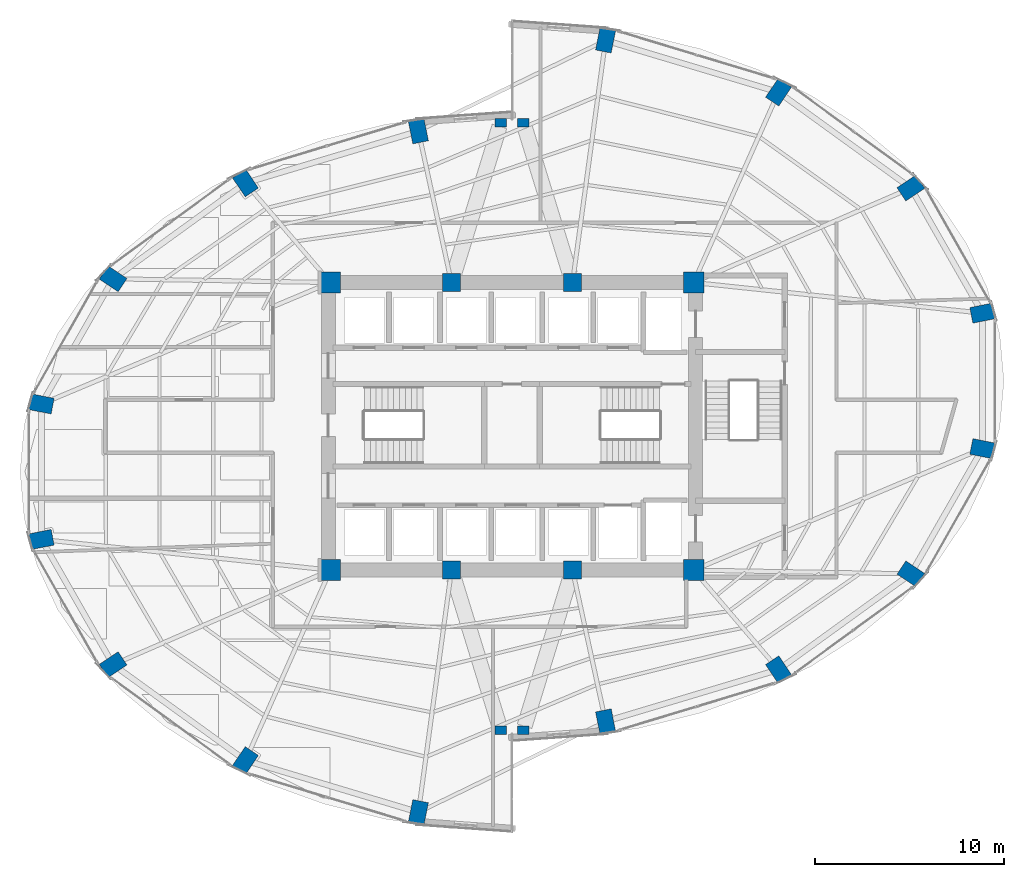
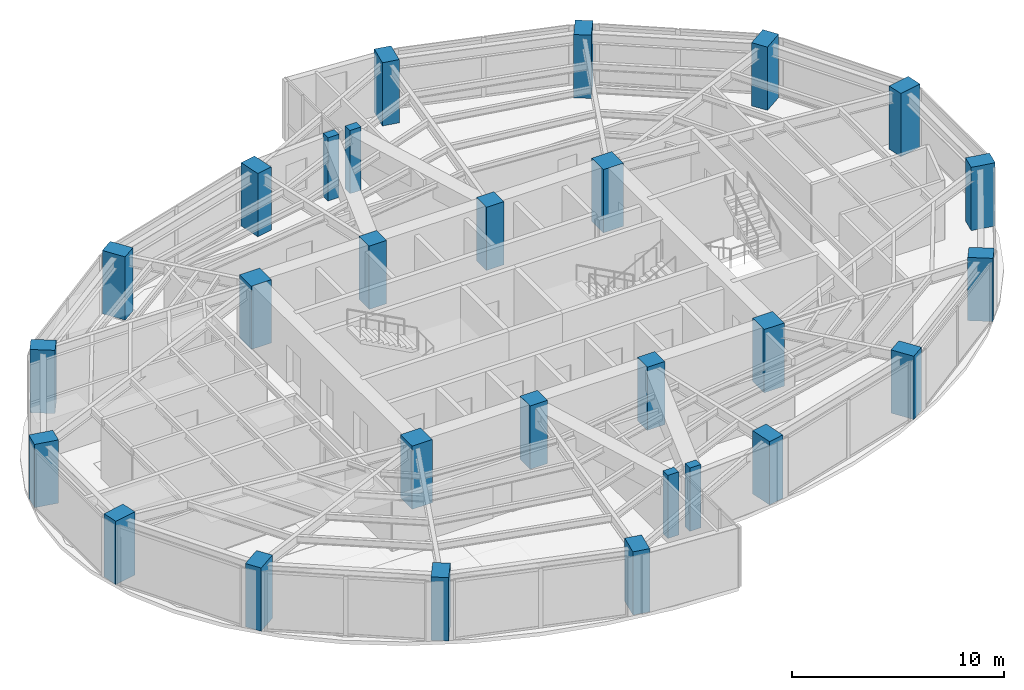
# One storey, part 1 of 24: 28 columns.
"""IFC4 building model written with IfcOpenShell, lengths in metres."""

from ifc_helpers import new_model, si_unit, direction, frame, origin, origin_2d, place, context, subcontext, project, spatial, rectangle, extrude, material, material_profile, profile_set, type_object, element, save


model = new_model("IFC4")

# Units and contexts
model_context = context("Model", 3, precision=1e-05, world=origin(), true_north=direction((0.0, 1.0)))
body_context = subcontext(model_context, "Body", "Model", "MODEL_VIEW")
ifc_project = project(units=[si_unit("LENGTHUNIT", "METRE"), si_unit("AREAUNIT", "SQUARE_METRE"), si_unit("VOLUMEUNIT", "CUBIC_METRE"), si_unit("PLANEANGLEUNIT", "RADIAN"), si_unit("MASSUNIT", "GRAM", prefix="KILO")], contexts=[model_context])

# Site, building, storey
site_placement = place(None, origin())
site = spatial("IfcSite", under=ifc_project, at=site_placement, CompositionType="ELEMENT")
building_placement = place(site_placement, origin())
building = spatial("IfcBuilding", under=site, at=building_placement, Name="Lazwardi Medical Tower", CompositionType="ELEMENT")
storey_placement = place(building_placement, frame((0.0, 0.0, 96.3359375)))
storey = spatial("IfcBuildingStorey", under=building, at=storey_placement, Name="L24", CompositionType="ELEMENT", Elevation=96.3359375)

# Columns
ifc_material_1 = material(Name="Concrete C80/95", Category="concrete")
ifc_material_profile_1 = material_profile(ifc_material_1, rectangle(XDim=1.10009765625, YDim=1.10009765625, at=origin_2d()), Name="RC 1100x1100")
ifc_profile_set_1 = profile_set([ifc_material_profile_1], Name="Concrete C80/95")
column_type_1 = type_object("IfcColumnType", Name="COL-CC-L", PredefinedType="COLUMN", material=ifc_profile_set_1)
for number, where, z_axis, x_axis, name in (
    (1, (26.39990234375, 20.39990234375, 0.0), (0.0, 0.0, 1.0), (1.0, 0.0, 0.0), "Core column CC-01 CC1 L24"),
    (2, (45.60009765625, 20.39990234375, 0.0), (0.0, 0.0, 1.0), (1.0, 0.0, 0.0), "Core column CC-01 CC4 L24"),
    (3, (45.60009765625, 35.60009765625, 0.0), (0.0, 0.0, 1.0), (1.0, 0.0, 0.0), "Core column CC-01 CC5 L24"),
    (4, (26.39990234375, 35.60009765625, 0.0), (0.0, 0.0, 1.0), (1.0, 0.0, 0.0), "Core column CC-01 CC8 L24"),
):
    element("IfcColumn", number, at=place(storey_placement, frame(where, z_axis=z_axis, x_axis=x_axis)), inside=storey, type_object=column_type_1, Name=name, PredefinedType="COLUMN", context=body_context, shape_type="SweptSolid", body=[
        extrude(rectangle(XDim=1.10009765625, YDim=1.10009765625, at=origin_2d()), origin(), (0.0, 0.0, 1.0), 3.64794921875),
    ])
ifc_material_2 = material(Name="Concrete C70/85", Category="concrete")
ifc_material_profile_2 = material_profile(ifc_material_2, rectangle(XDim=0.949951171875, YDim=0.949951171875, at=origin_2d()), Name="RC 950x950")
ifc_profile_set_2 = profile_set([ifc_material_profile_2], Name="Concrete C70/85")
column_type_2 = type_object("IfcColumnType", Name="COL-CC-M", PredefinedType="COLUMN", material=ifc_profile_set_2)
for number, where, z_axis, x_axis, name in (
    (5, (32.800048828125, 20.39990234375, 0.0), (0.0, 0.0, 1.0), (1.0, 0.0, 0.0), "Core column CC-02 CC2 L24"),
    (6, (39.199951171875, 20.39990234375, 0.0), (0.0, 0.0, 1.0), (1.0, 0.0, 0.0), "Core column CC-02 CC3 L24"),
    (7, (39.199951171875, 35.60009765625, 0.0), (0.0, 0.0, 1.0), (1.0, 0.0, 0.0), "Core column CC-02 CC6 L24"),
    (8, (32.800048828125, 35.60009765625, 0.0), (0.0, 0.0, 1.0), (1.0, 0.0, 0.0), "Core column CC-02 CC7 L24"),
):
    element("IfcColumn", number, at=place(storey_placement, frame(where, z_axis=z_axis, x_axis=x_axis)), inside=storey, type_object=column_type_2, Name=name, PredefinedType="COLUMN", context=body_context, shape_type="SweptSolid", body=[
        extrude(rectangle(XDim=0.949951171875, YDim=0.949951171875, at=origin_2d()), origin(), (0.0, 0.0, 1.0), 3.64794921875),
    ])
ifc_material_profile_3 = material_profile(ifc_material_2, rectangle(XDim=1.199951171875, YDim=0.840087890625, at=origin_2d()), Name="CFT-RECT 1200x840")
ifc_profile_set_3 = profile_set([ifc_material_profile_3], Name="Concrete C70/85")
column_type_3 = type_object("IfcColumnType", Name="COL-MC-Z2", PredefinedType="COLUMN", material=ifc_profile_set_3)
for number, where, z_axis, x_axis, name in (
    (9, (40.945556640625, 12.402587890625, 0.0), (0.0, 0.0, 1.0), (0.195090322016, -0.980785280403, 0.0), "Mega column MC-04 M01 L24"),
    (10, (50.083740234375, 15.142578125, 0.0), (0.0, 0.0, 1.0), (0.55557023302, -0.831469612303, 0.0), "Mega column MC-04 M02 L24"),
    (11, (57.077880859375, 20.205322265625, 0.0), (0.0, 0.0, 1.0), (0.831469612303, -0.55557023302, 0.0), "Mega column MC-04 M03 L24"),
    (12, (60.86279296875, 26.820068359375, 0.0), (0.0, 0.0, 1.0), (0.980785280403, -0.195090322016, 0.0), "Mega column MC-04 M04 L24"),
    (13, (60.86279296875, 33.97998046875, 0.0), (0.0, 0.0, 1.0), (0.980785280403, 0.195090322016, 0.0), "Mega column MC-04 M05 L24"),
    (14, (57.077880859375, 40.5947265625, 0.0), (0.0, 0.0, 1.0), (0.831469612303, 0.55557023302, 0.0), "Mega column MC-04 M06 L24"),
    (15, (50.083740234375, 45.657470703125, 0.0), (0.0, 0.0, 1.0), (0.55557023302, 0.831469612303, 0.0), "Mega column MC-04 M07 L24"),
    (16, (40.945556640625, 48.3974609375, 0.0), (0.0, 0.0, 1.0), (0.195090322016, 0.980785280403, 0.0), "Mega column MC-04 M08 L24"),
    (17, (31.054443359375, 43.597412109375, 0.0), (0.0, 0.0, 1.0), (-0.195090322016, 0.980785280403, 0.0), "Mega column MC-04 M09 L24"),
    (18, (21.916259765625, 40.857421875, 0.0), (0.0, 0.0, 1.0), (-0.55557023302, 0.831469612303, 0.0), "Mega column MC-04 M10 L24"),
    (19, (14.922119140625, 35.794677734375, 0.0), (0.0, 0.0, 1.0), (-0.831469612303, 0.55557023302, 0.0), "Mega column MC-04 M11 L24"),
    (20, (11.13720703125, 29.179931640625, 0.0), (0.0, 0.0, 1.0), (-0.980785280403, 0.195090322016, 0.0), "Mega column MC-04 M12 L24"),
    (21, (11.13720703125, 22.02001953125, 0.0), (0.0, 0.0, 1.0), (-0.980785280403, -0.195090322016, 0.0), "Mega column MC-04 M13 L24"),
    (22, (14.922119140625, 15.4052734375, 0.0), (0.0, 0.0, 1.0), (-0.831469612303, -0.55557023302, 0.0), "Mega column MC-04 M14 L24"),
    (23, (21.916259765625, 10.342529296875, 0.0), (0.0, 0.0, 1.0), (-0.55557023302, -0.831469612303, 0.0), "Mega column MC-04 M15 L24"),
    (24, (31.054443359375, 7.6025390625, 0.0), (0.0, 0.0, 1.0), (-0.195090322016, -0.980785280403, 0.0), "Mega column MC-04 M16 L24"),
):
    element("IfcColumn", number, at=place(storey_placement, frame(where, z_axis=z_axis, x_axis=x_axis)), inside=storey, type_object=column_type_3, Name=name, PredefinedType="COLUMN", context=body_context, shape_type="SweptSolid", body=[
        extrude(rectangle(XDim=1.199951171875, YDim=0.840087890625, at=origin_2d()), origin(), (0.0, 0.0, 1.0), 3.64794921875),
    ])
ifc_material_3 = material(Name="Concrete C60/75", Category="concrete")
ifc_material_profile_4 = material_profile(ifc_material_3, rectangle(XDim=0.60009765625, YDim=0.449951171875, at=origin_2d()), Name="RC 600x450")
ifc_profile_set_4 = profile_set([ifc_material_profile_4], Name="Concrete C60/75")
column_type_4 = type_object("IfcColumnType", Name="COL-PL-IW", PredefinedType="PILASTER", material=ifc_profile_set_4)
for number, where, z_axis, x_axis, name in (
    (25, (35.39990234375, 44.050048828125, 0.0), (0.0, 0.0, 1.0), (1.0, 0.0, 0.0), "Iwan pilaster column PL-C1 PL1 L24"),
    (26, (36.60009765625, 44.050048828125, 0.0), (0.0, 0.0, 1.0), (1.0, 0.0, 0.0), "Iwan pilaster column PL-C1 PL2 L24"),
    (27, (35.39990234375, 11.949951171875, 0.0), (0.0, 0.0, 1.0), (1.0, 0.0, 0.0), "Iwan pilaster column PL-C1 PL3 L24"),
    (28, (36.60009765625, 11.949951171875, 0.0), (0.0, 0.0, 1.0), (1.0, 0.0, 0.0), "Iwan pilaster column PL-C1 PL4 L24"),
):
    element("IfcColumn", number, at=place(storey_placement, frame(where, z_axis=z_axis, x_axis=x_axis)), inside=storey, type_object=column_type_4, Name=name, PredefinedType="PILASTER", context=body_context, shape_type="SweptSolid", body=[
        extrude(rectangle(XDim=0.60009765625, YDim=0.449951171875, at=origin_2d()), origin(), (0.0, 0.0, 1.0), 3.64794921875),
    ])

save(model, "model.ifc")
